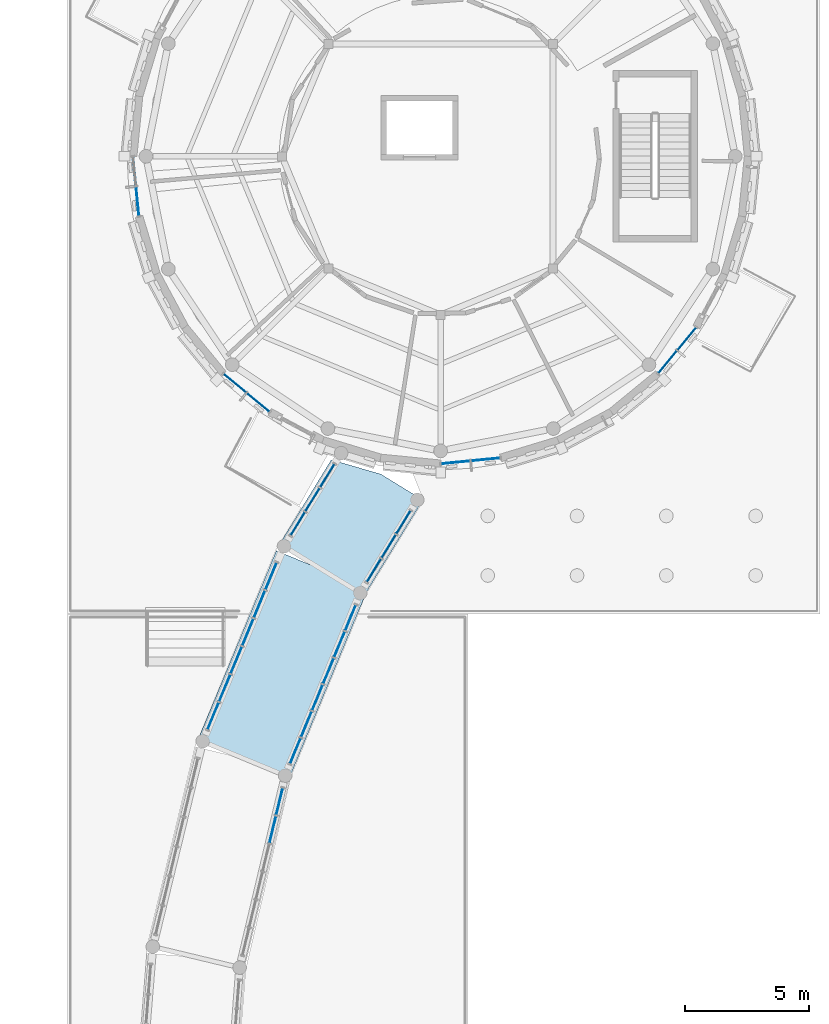
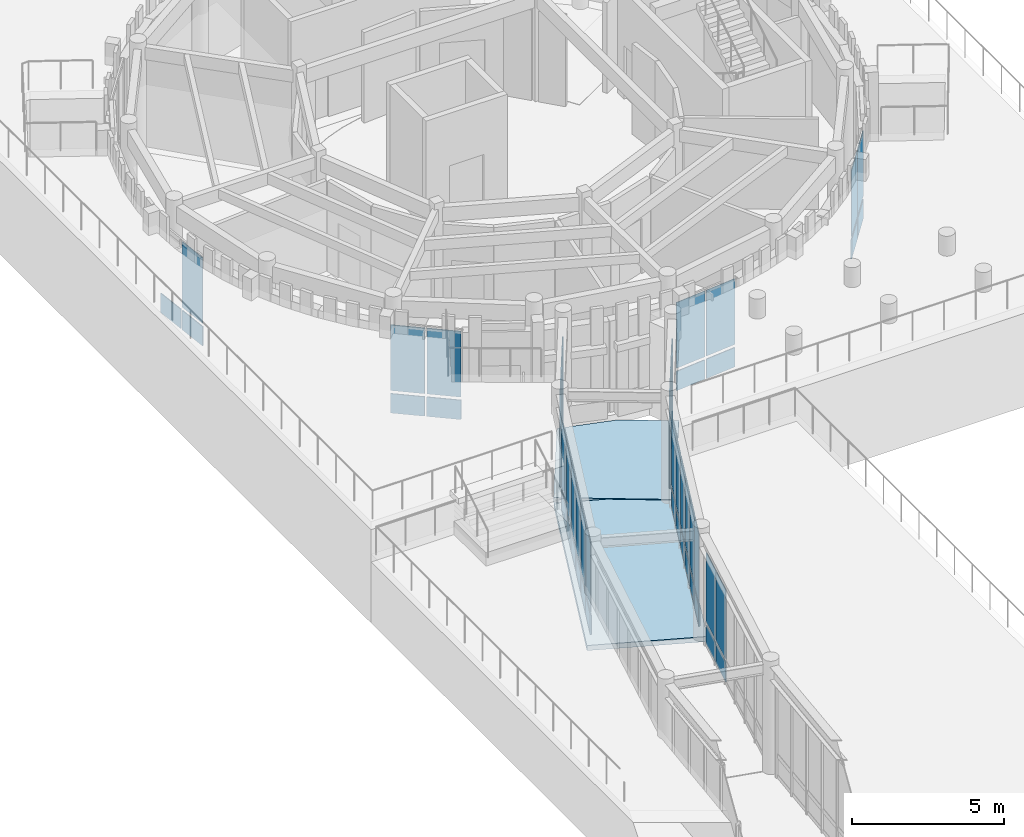
# One storey, part 43 of 94: 55 plates, 2 slabs, 9 elements without a shape of their own.
"""IFC4 building model written with IfcOpenShell, lengths in metres."""

from ifc_helpers import new_model, si_unit, direction, frame, origin, origin_2d, place, context, subcontext, project, spatial, polyline, rectangle, outline, extrude, material, layer, layer_set, type_object, element, aggregate, save


model = new_model("IFC4")

# Units and contexts
model_context = context("Model", 3, precision=1e-05, world=origin(), true_north=direction((0.0, 1.0)))
body_context = subcontext(model_context, "Body", "Model", "MODEL_VIEW")
ifc_project = project(units=[si_unit("LENGTHUNIT", "METRE"), si_unit("AREAUNIT", "SQUARE_METRE"), si_unit("VOLUMEUNIT", "CUBIC_METRE"), si_unit("PLANEANGLEUNIT", "RADIAN"), si_unit("MASSUNIT", "GRAM", prefix="KILO")], contexts=[model_context])

# Site, building, storey
site_placement = place(None, origin())
site = spatial("IfcSite", under=ifc_project, at=site_placement, CompositionType="ELEMENT")
building_placement = place(site_placement, origin())
building = spatial("IfcBuilding", under=site, at=building_placement, Name="Aldenvaro Health Centre", CompositionType="ELEMENT")
storey_placement = place(building_placement, origin())
storey = spatial("IfcBuildingStorey", under=building, at=storey_placement, Name="L00", CompositionType="ELEMENT", Elevation=0.0)

# Curtain wall, plates
ifc_material_1 = material(Name="Anodised Aluminium 6063-T6", Category="aluminium")
ifc_layer_1 = layer(ifc_material_1, 0.195068359375, Name="Anodised Aluminium 6063-T6", Category="aluminium")
ifc_layer_set_1 = layer_set([ifc_layer_1], Name="Anodised Aluminium 6063-T6")
curtain_wall_type_1 = type_object("IfcCurtainWallType", Name="CW-CLN-02", PredefinedType="NOTDEFINED", material=ifc_layer_set_1)
curtain_wall_1_placement = place(storey_placement, origin())
curtain_wall_1 = element("IfcCurtainWall", 1, at=curtain_wall_1_placement, inside=storey, type_object=curtain_wall_type_1, Name="D2 L00 curtain wall bay 04", PredefinedType="NOTDEFINED")
ifc_material_2 = material(Name="Low-E Double Glazing IGU", Category="glass")
ifc_layer_2 = layer(ifc_material_2, 0.028076171875, Name="Low-E Double Glazing IGU", Category="glass")
ifc_layer_set_2 = layer_set([ifc_layer_2], Name="Low-E Double Glazing IGU")
plate_type_1 = type_object("IfcPlateType", Name="CWP-IGU-28", PredefinedType="CURTAIN_PANEL", material=ifc_layer_set_2)
plate_1_placement = place(storey_placement, frame((164.424072265625, 92.14111328125, 0.96044921875), z_axis=(0.0, 0.0, 1.0), x_axis=(-0.634379653268, -0.773021639749, 0.0)))
plate_1 = element("IfcPlate", 2, at=plate_1_placement, type_object=plate_type_1, Name="D2 L00 curtain wall bay 04 vision glazing 1", PredefinedType="CURTAIN_PANEL", context=body_context, shape_type="SweptSolid", body=[
    extrude(rectangle(XDim=1.14501953125, YDim=0.028076171875, at=origin_2d()), origin(), (0.0, 0.0, 1.0), 2.638916015625),
])
plate_2_placement = place(storey_placement, frame((163.654052734375, 91.201904296875, 0.96044921875), z_axis=(0.0, 0.0, 1.0), x_axis=(-0.634379653268, -0.773021639749, 0.0)))
plate_2 = element("IfcPlate", 3, at=plate_2_placement, type_object=plate_type_1, Name="D2 L00 curtain wall bay 04 vision glazing 2", PredefinedType="CURTAIN_PANEL", context=body_context, shape_type="SweptSolid", body=[
    extrude(rectangle(XDim=1.14501953125, YDim=0.028076171875, at=origin_2d()), origin(), (0.0, 0.0, 1.0), 2.638916015625),
])

curtain_wall_2_placement = place(storey_placement, origin())
curtain_wall_2 = element("IfcCurtainWall", 4, at=curtain_wall_2_placement, inside=storey, type_object=curtain_wall_type_1, Name="D2 L00 curtain wall bay 08", PredefinedType="NOTDEFINED")
plate_3_placement = place(storey_placement, frame((156.31396484375, 87.278076171875, 0.96044921875), z_axis=(0.0, 0.0, 1.0), x_axis=(-0.995194782414, -0.097914988926, 0.0)))
plate_3 = element("IfcPlate", 5, at=plate_3_placement, type_object=plate_type_1, Name="D2 L00 curtain wall bay 08 vision glazing 1", PredefinedType="CURTAIN_PANEL", context=body_context, shape_type="SweptSolid", body=[
    extrude(rectangle(XDim=1.14501953125, YDim=0.028076171875, at=origin_2d()), origin(), (0.0, 0.0, 1.0), 2.638916015625),
])
plate_4_placement = place(storey_placement, frame((155.10498046875, 87.158935546875, 0.96044921875), z_axis=(0.0, 0.0, 1.0), x_axis=(-0.995194782414, -0.097914988926, 0.0)))
plate_4 = element("IfcPlate", 6, at=plate_4_placement, type_object=plate_type_1, Name="D2 L00 curtain wall bay 08 vision glazing 2", PredefinedType="CURTAIN_PANEL", context=body_context, shape_type="SweptSolid", body=[
    extrude(rectangle(XDim=1.14501953125, YDim=0.028076171875, at=origin_2d()), origin(), (0.0, 0.0, 1.0), 2.638916015625),
])

curtain_wall_3_placement = place(storey_placement, origin())
curtain_wall_3 = element("IfcCurtainWall", 7, at=curtain_wall_3_placement, inside=storey, type_object=curtain_wall_type_1, Name="D2 L00 curtain wall bay 12", PredefinedType="NOTDEFINED")
plate_5_placement = place(storey_placement, frame((147.14111328125, 89.575927734375, 0.96044921875), z_axis=(0.0, 0.0, 1.0), x_axis=(-0.773021639749, 0.634379653268, 0.0)))
plate_5 = element("IfcPlate", 8, at=plate_5_placement, type_object=plate_type_1, Name="D2 L00 curtain wall bay 12 vision glazing 1", PredefinedType="CURTAIN_PANEL", context=body_context, shape_type="SweptSolid", body=[
    extrude(rectangle(XDim=1.14501953125, YDim=0.028076171875, at=origin_2d()), origin(), (0.0, 0.0, 1.0), 2.638916015625),
])
plate_6_placement = place(storey_placement, frame((146.201904296875, 90.345947265625, 0.96044921875), z_axis=(0.0, 0.0, 1.0), x_axis=(-0.773021639749, 0.634379653268, 0.0)))
plate_6 = element("IfcPlate", 9, at=plate_6_placement, type_object=plate_type_1, Name="D2 L00 curtain wall bay 12 vision glazing 2", PredefinedType="CURTAIN_PANEL", context=body_context, shape_type="SweptSolid", body=[
    extrude(rectangle(XDim=1.14501953125, YDim=0.028076171875, at=origin_2d()), origin(), (0.0, 0.0, 1.0), 2.638916015625),
])

# Curtain wall, plate
curtain_wall_4_placement = place(storey_placement, origin())
curtain_wall_4 = element("IfcCurtainWall", 10, at=curtain_wall_4_placement, inside=storey, type_object=curtain_wall_type_1, Name="D2 L00 curtain wall bay 16", PredefinedType="NOTDEFINED")
plate_7_placement = place(storey_placement, frame((142.279052734375, 97.68603515625, 0.96044921875), z_axis=(0.0, 0.0, 1.0), x_axis=(-0.097914988926, 0.995194782414, 0.0)))
plate_7 = element("IfcPlate", 11, at=plate_7_placement, type_object=plate_type_1, Name="D2 L00 curtain wall bay 16 vision glazing 1", PredefinedType="CURTAIN_PANEL", context=body_context, shape_type="SweptSolid", body=[
    extrude(rectangle(XDim=1.14501953125, YDim=0.028076171875, at=origin_2d()), origin(), (0.0, 0.0, 1.0), 2.638916015625),
])

# Curtain wall, plates
ifc_layer_3 = layer(ifc_material_1, 0.2099609375, Name="Anodised Aluminium 6063-T6", Category="aluminium")
ifc_layer_set_3 = layer_set([ifc_layer_3], Name="Anodised Aluminium 6063-T6")
curtain_wall_type_2 = type_object("IfcCurtainWallType", Name="CW-BRG-03", PredefinedType="NOTDEFINED", material=ifc_layer_set_3)
curtain_wall_5_placement = place(storey_placement, origin())
curtain_wall_5 = element("IfcCurtainWall", 12, at=curtain_wall_5_placement, inside=storey, type_object=curtain_wall_type_2, Name="East Curved Garden Colonnade Arc 1 L00 glazed link wall L-1.1", PredefinedType="NOTDEFINED")
plate_8_placement = place(storey_placement, frame((153.001953125, 84.742919921875, 0.96044921875), z_axis=(0.0, 0.0, 1.0), x_axis=(-0.52261011534, -0.852571796005, 0.0)))
plate_8 = element("IfcPlate", 13, at=plate_8_placement, type_object=plate_type_1, Name="East Curved Garden Colonnade Arc 1 L00 glazed link wall L-1.1 vision glazing 1", PredefinedType="CURTAIN_PANEL", context=body_context, shape_type="SweptSolid", body=[
    extrude(rectangle(XDim=1.069091796875, YDim=0.028076171875, at=origin_2d()), origin(), (0.0, 0.0, 1.0), 2.784912109375),
])
plate_9_placement = place(storey_placement, frame((152.406982421875, 83.77197265625, 0.96044921875), z_axis=(0.0, 0.0, 1.0), x_axis=(-0.52261011534, -0.852571796005, 0.0)))
plate_9 = element("IfcPlate", 14, at=plate_9_placement, type_object=plate_type_1, Name="East Curved Garden Colonnade Arc 1 L00 glazed link wall L-1.1 vision glazing 2", PredefinedType="CURTAIN_PANEL", context=body_context, shape_type="SweptSolid", body=[
    extrude(rectangle(XDim=1.069091796875, YDim=0.028076171875, at=origin_2d()), origin(), (0.0, 0.0, 1.0), 2.784912109375),
])
plate_10_placement = place(storey_placement, frame((151.81201171875, 82.801025390625, 0.96044921875), z_axis=(0.0, 0.0, 1.0), x_axis=(-0.52261011534, -0.852571796005, 0.0)))
plate_10 = element("IfcPlate", 15, at=plate_10_placement, type_object=plate_type_1, Name="East Curved Garden Colonnade Arc 1 L00 glazed link wall L-1.1 vision glazing 3", PredefinedType="CURTAIN_PANEL", context=body_context, shape_type="SweptSolid", body=[
    extrude(rectangle(XDim=1.069091796875, YDim=0.028076171875, at=origin_2d()), origin(), (0.0, 0.0, 1.0), 2.784912109375),
])

curtain_wall_6_placement = place(storey_placement, origin())
curtain_wall_6 = element("IfcCurtainWall", 16, at=curtain_wall_6_placement, inside=storey, type_object=curtain_wall_type_2, Name="East Curved Garden Colonnade Arc 1 L00 glazed link wall R-1.1", PredefinedType="NOTDEFINED")
plate_11_placement = place(storey_placement, frame((149.93310546875, 86.623046875, 0.96044921875), z_axis=(0.0, 0.0, 1.0), x_axis=(-0.522527716361, -0.852622299518, 0.0)))
plate_11 = element("IfcPlate", 17, at=plate_11_placement, type_object=plate_type_1, Name="East Curved Garden Colonnade Arc 1 L00 glazed link wall R-1.1 vision glazing 1", PredefinedType="CURTAIN_PANEL", context=body_context, shape_type="SweptSolid", body=[
    extrude(rectangle(XDim=1.068115234375, YDim=0.028076171875, at=origin_2d()), origin(), (0.0, 0.0, 1.0), 2.784912109375),
])
plate_12_placement = place(storey_placement, frame((149.337890625, 85.653076171875, 0.96044921875), z_axis=(0.0, 0.0, 1.0), x_axis=(-0.522527716361, -0.852622299518, 0.0)))
plate_12 = element("IfcPlate", 18, at=plate_12_placement, type_object=plate_type_1, Name="East Curved Garden Colonnade Arc 1 L00 glazed link wall R-1.1 vision glazing 2", PredefinedType="CURTAIN_PANEL", context=body_context, shape_type="SweptSolid", body=[
    extrude(rectangle(XDim=1.068115234375, YDim=0.028076171875, at=origin_2d()), origin(), (0.0, 0.0, 1.0), 2.784912109375),
])
plate_13_placement = place(storey_placement, frame((148.742919921875, 84.681884765625, 0.96044921875), z_axis=(0.0, 0.0, 1.0), x_axis=(-0.522527716361, -0.852622299518, 0.0)))
plate_13 = element("IfcPlate", 19, at=plate_13_placement, type_object=plate_type_1, Name="East Curved Garden Colonnade Arc 1 L00 glazed link wall R-1.1 vision glazing 3", PredefinedType="CURTAIN_PANEL", context=body_context, shape_type="SweptSolid", body=[
    extrude(rectangle(XDim=1.068115234375, YDim=0.028076171875, at=origin_2d()), origin(), (0.0, 0.0, 1.0), 2.784912109375),
])

curtain_wall_7_placement = place(storey_placement, origin())
curtain_wall_7 = element("IfcCurtainWall", 20, at=curtain_wall_7_placement, inside=storey, type_object=curtain_wall_type_2, Name="East Curved Garden Colonnade Arc 2 L00 glazed link wall L-1.1", PredefinedType="NOTDEFINED")
plate_14_placement = place(storey_placement, frame((150.865966796875, 80.89208984375, 0.96044921875), z_axis=(0.0, 0.0, 1.0), x_axis=(-0.382596838462, -0.923915396126, 0.0)))
plate_14 = element("IfcPlate", 21, at=plate_14_placement, type_object=plate_type_1, Name="East Curved Garden Colonnade Arc 2 L00 glazed link wall L-1.1 vision glazing 1", PredefinedType="CURTAIN_PANEL", context=body_context, shape_type="SweptSolid", body=[
    extrude(rectangle(XDim=1.091064453125, YDim=0.028076171875, at=origin_2d()), origin(), (0.0, 0.0, 1.0), 2.784912109375),
])
plate_15_placement = place(storey_placement, frame((150.4208984375, 79.820068359375, 0.96044921875), z_axis=(0.0, 0.0, 1.0), x_axis=(-0.382596838462, -0.923915396126, 0.0)))
plate_15 = element("IfcPlate", 22, at=plate_15_placement, type_object=plate_type_1, Name="East Curved Garden Colonnade Arc 2 L00 glazed link wall L-1.1 vision glazing 2", PredefinedType="CURTAIN_PANEL", context=body_context, shape_type="SweptSolid", body=[
    extrude(rectangle(XDim=1.091064453125, YDim=0.028076171875, at=origin_2d()), origin(), (0.0, 0.0, 1.0), 2.784912109375),
])
plate_16_placement = place(storey_placement, frame((149.97705078125, 78.74609375, 0.96044921875), z_axis=(0.0, 0.0, 1.0), x_axis=(-0.382596838462, -0.923915396126, 0.0)))
plate_16 = element("IfcPlate", 23, at=plate_16_placement, type_object=plate_type_1, Name="East Curved Garden Colonnade Arc 2 L00 glazed link wall L-1.1 vision glazing 3", PredefinedType="CURTAIN_PANEL", context=body_context, shape_type="SweptSolid", body=[
    extrude(rectangle(XDim=1.091064453125, YDim=0.028076171875, at=origin_2d()), origin(), (0.0, 0.0, 1.0), 2.784912109375),
])
plate_17_placement = place(storey_placement, frame((149.532958984375, 77.674072265625, 0.96044921875), z_axis=(0.0, 0.0, 1.0), x_axis=(-0.382596838462, -0.923915396126, 0.0)))
plate_17 = element("IfcPlate", 24, at=plate_17_placement, type_object=plate_type_1, Name="East Curved Garden Colonnade Arc 2 L00 glazed link wall L-1.1 vision glazing 4", PredefinedType="CURTAIN_PANEL", context=body_context, shape_type="SweptSolid", body=[
    extrude(rectangle(XDim=1.091064453125, YDim=0.028076171875, at=origin_2d()), origin(), (0.0, 0.0, 1.0), 2.784912109375),
])
plate_18_placement = place(storey_placement, frame((149.089111328125, 76.60009765625, 0.96044921875), z_axis=(0.0, 0.0, 1.0), x_axis=(-0.382596838462, -0.923915396126, 0.0)))
plate_18 = element("IfcPlate", 25, at=plate_18_placement, type_object=plate_type_1, Name="East Curved Garden Colonnade Arc 2 L00 glazed link wall L-1.1 vision glazing 5", PredefinedType="CURTAIN_PANEL", context=body_context, shape_type="SweptSolid", body=[
    extrude(rectangle(XDim=1.091064453125, YDim=0.028076171875, at=origin_2d()), origin(), (0.0, 0.0, 1.0), 2.784912109375),
])
plate_19_placement = place(storey_placement, frame((148.64404296875, 75.528076171875, 0.96044921875), z_axis=(0.0, 0.0, 1.0), x_axis=(-0.382596838462, -0.923915396126, 0.0)))
plate_19 = element("IfcPlate", 26, at=plate_19_placement, type_object=plate_type_1, Name="East Curved Garden Colonnade Arc 2 L00 glazed link wall L-1.1 vision glazing 6", PredefinedType="CURTAIN_PANEL", context=body_context, shape_type="SweptSolid", body=[
    extrude(rectangle(XDim=1.091064453125, YDim=0.028076171875, at=origin_2d()), origin(), (0.0, 0.0, 1.0), 2.784912109375),
])

curtain_wall_8_placement = place(storey_placement, origin())
curtain_wall_8 = element("IfcCurtainWall", 27, at=curtain_wall_8_placement, inside=storey, type_object=curtain_wall_type_2, Name="East Curved Garden Colonnade Arc 2 L00 glazed link wall R-1.1", PredefinedType="NOTDEFINED")
plate_20_placement = place(storey_placement, frame((147.6650390625, 82.572021484375, 0.96044921875), z_axis=(0.0, 0.0, 1.0), x_axis=(-0.382568850779, -0.923926985434, 0.0)))
plate_20 = element("IfcPlate", 28, at=plate_20_placement, type_object=plate_type_1, Name="East Curved Garden Colonnade Arc 2 L00 glazed link wall R-1.1 vision glazing 1", PredefinedType="CURTAIN_PANEL", context=body_context, shape_type="SweptSolid", body=[
    extrude(rectangle(XDim=1.15087890625, YDim=0.028076171875, at=origin_2d()), origin(), (0.0, 0.0, 1.0), 2.784912109375),
])
plate_21_placement = place(storey_placement, frame((147.197021484375, 81.444091796875, 0.96044921875), z_axis=(0.0, 0.0, 1.0), x_axis=(-0.382568850779, -0.923926985434, 0.0)))
plate_21 = element("IfcPlate", 29, at=plate_21_placement, type_object=plate_type_1, Name="East Curved Garden Colonnade Arc 2 L00 glazed link wall R-1.1 vision glazing 2", PredefinedType="CURTAIN_PANEL", context=body_context, shape_type="SweptSolid", body=[
    extrude(rectangle(XDim=1.15087890625, YDim=0.028076171875, at=origin_2d()), origin(), (0.0, 0.0, 1.0), 2.784912109375),
])
plate_22_placement = place(storey_placement, frame((146.73095703125, 80.31591796875, 0.96044921875), z_axis=(0.0, 0.0, 1.0), x_axis=(-0.382568850779, -0.923926985434, 0.0)))
plate_22 = element("IfcPlate", 30, at=plate_22_placement, type_object=plate_type_1, Name="East Curved Garden Colonnade Arc 2 L00 glazed link wall R-1.1 vision glazing 3", PredefinedType="CURTAIN_PANEL", context=body_context, shape_type="SweptSolid", body=[
    extrude(rectangle(XDim=1.15087890625, YDim=0.028076171875, at=origin_2d()), origin(), (0.0, 0.0, 1.0), 2.784912109375),
])
plate_23_placement = place(storey_placement, frame((146.262939453125, 79.18896484375, 0.96044921875), z_axis=(0.0, 0.0, 1.0), x_axis=(-0.382568850779, -0.923926985434, 0.0)))
plate_23 = element("IfcPlate", 31, at=plate_23_placement, type_object=plate_type_1, Name="East Curved Garden Colonnade Arc 2 L00 glazed link wall R-1.1 vision glazing 4", PredefinedType="CURTAIN_PANEL", context=body_context, shape_type="SweptSolid", body=[
    extrude(rectangle(XDim=1.15087890625, YDim=0.028076171875, at=origin_2d()), origin(), (0.0, 0.0, 1.0), 2.784912109375),
])
plate_24_placement = place(storey_placement, frame((145.797119140625, 78.06103515625, 0.96044921875), z_axis=(0.0, 0.0, 1.0), x_axis=(-0.382568850779, -0.923926985434, 0.0)))
plate_24 = element("IfcPlate", 32, at=plate_24_placement, type_object=plate_type_1, Name="East Curved Garden Colonnade Arc 2 L00 glazed link wall R-1.1 vision glazing 5", PredefinedType="CURTAIN_PANEL", context=body_context, shape_type="SweptSolid", body=[
    extrude(rectangle(XDim=1.15087890625, YDim=0.028076171875, at=origin_2d()), origin(), (0.0, 0.0, 1.0), 2.784912109375),
])
plate_25_placement = place(storey_placement, frame((145.3291015625, 76.93310546875, 0.96044921875), z_axis=(0.0, 0.0, 1.0), x_axis=(-0.382568850779, -0.923926985434, 0.0)))
plate_25 = element("IfcPlate", 33, at=plate_25_placement, type_object=plate_type_1, Name="East Curved Garden Colonnade Arc 2 L00 glazed link wall R-1.1 vision glazing 6", PredefinedType="CURTAIN_PANEL", context=body_context, shape_type="SweptSolid", body=[
    extrude(rectangle(XDim=1.15087890625, YDim=0.028076171875, at=origin_2d()), origin(), (0.0, 0.0, 1.0), 2.784912109375),
])

curtain_wall_9_placement = place(storey_placement, origin())
curtain_wall_9 = element("IfcCurtainWall", 34, at=curtain_wall_9_placement, inside=storey, type_object=curtain_wall_type_2, Name="East Curved Garden Colonnade Arc 3 L00 glazed link wall L-1.1", PredefinedType="NOTDEFINED")
plate_26_placement = place(storey_placement, frame((148.0029296875, 73.48388671875, 0.96044921875), z_axis=(0.0, 0.0, 1.0), x_axis=(-0.233541245949, -0.972346896144, 0.0)))
plate_26 = element("IfcPlate", 35, at=plate_26_placement, type_object=plate_type_1, Name="East Curved Garden Colonnade Arc 3 L00 glazed link wall L-1.1 vision glazing 1", PredefinedType="CURTAIN_PANEL", context=body_context, shape_type="SweptSolid", body=[
    extrude(rectangle(XDim=1.091064453125, YDim=0.028076171875, at=origin_2d()), origin(), (0.0, 0.0, 1.0), 2.784912109375),
])
plate_27_placement = place(storey_placement, frame((147.73193359375, 72.35498046875, 0.96044921875), z_axis=(0.0, 0.0, 1.0), x_axis=(-0.233541245949, -0.972346896144, 0.0)))
plate_27 = element("IfcPlate", 36, at=plate_27_placement, type_object=plate_type_1, Name="East Curved Garden Colonnade Arc 3 L00 glazed link wall L-1.1 vision glazing 2", PredefinedType="CURTAIN_PANEL", context=body_context, shape_type="SweptSolid", body=[
    extrude(rectangle(XDim=1.091064453125, YDim=0.028076171875, at=origin_2d()), origin(), (0.0, 0.0, 1.0), 2.784912109375),
])

# Plate
ifc_material_3 = material(Name="Insulated Aluminium Spandrel", Category="aluminium")
ifc_layer_4 = layer(ifc_material_3, 0.035888671875, Name="Insulated Aluminium Spandrel", Category="aluminium")
ifc_layer_set_4 = layer_set([ifc_layer_4], Name="Insulated Aluminium Spandrel")
plate_type_2 = type_object("IfcPlateType", Name="CWP-SPN-36", PredefinedType="CURTAIN_PANEL", material=ifc_layer_set_4)
plate_28_placement = place(storey_placement, frame((164.424072265625, 92.14111328125, 0.06005859375), z_axis=(0.0, 0.0, 1.0), x_axis=(-0.634379653268, -0.773021639749, 0.0)))
plate_28 = element("IfcPlate", 37, at=plate_28_placement, type_object=plate_type_2, Name="D2 L00 curtain wall bay 04 spandrel panel 1", PredefinedType="CURTAIN_PANEL", context=body_context, shape_type="SweptSolid", body=[
    extrude(rectangle(XDim=1.14501953125, YDim=0.035888671875, at=origin_2d()), origin(), (0.0, 0.0, 1.0), 0.780029296875),
])

plate_29_placement = place(storey_placement, frame((163.654052734375, 91.201904296875, 0.06005859375), z_axis=(0.0, 0.0, 1.0), x_axis=(-0.634379653268, -0.773021639749, 0.0)))
plate_29 = element("IfcPlate", 38, at=plate_29_placement, type_object=plate_type_2, Name="D2 L00 curtain wall bay 04 spandrel panel 2", PredefinedType="CURTAIN_PANEL", context=body_context, shape_type="SweptSolid", body=[
    extrude(rectangle(XDim=1.14501953125, YDim=0.035888671875, at=origin_2d()), origin(), (0.0, 0.0, 1.0), 0.780029296875),
])

aggregate(curtain_wall_1, [plate_28, plate_1, plate_29, plate_2])

plate_30_placement = place(storey_placement, frame((156.31396484375, 87.278076171875, 0.06005859375), z_axis=(0.0, 0.0, 1.0), x_axis=(-0.995194782414, -0.097914988926, 0.0)))
plate_30 = element("IfcPlate", 39, at=plate_30_placement, type_object=plate_type_2, Name="D2 L00 curtain wall bay 08 spandrel panel 1", PredefinedType="CURTAIN_PANEL", context=body_context, shape_type="SweptSolid", body=[
    extrude(rectangle(XDim=1.14501953125, YDim=0.035888671875, at=origin_2d()), origin(), (0.0, 0.0, 1.0), 0.780029296875),
])

plate_31_placement = place(storey_placement, frame((155.10498046875, 87.158935546875, 0.06005859375), z_axis=(0.0, 0.0, 1.0), x_axis=(-0.995194782414, -0.097914988926, 0.0)))
plate_31 = element("IfcPlate", 40, at=plate_31_placement, type_object=plate_type_2, Name="D2 L00 curtain wall bay 08 spandrel panel 2", PredefinedType="CURTAIN_PANEL", context=body_context, shape_type="SweptSolid", body=[
    extrude(rectangle(XDim=1.14501953125, YDim=0.035888671875, at=origin_2d()), origin(), (0.0, 0.0, 1.0), 0.780029296875),
])

aggregate(curtain_wall_2, [plate_30, plate_3, plate_31, plate_4])

plate_32_placement = place(storey_placement, frame((147.14111328125, 89.575927734375, 0.06005859375), z_axis=(0.0, 0.0, 1.0), x_axis=(-0.773021639749, 0.634379653268, 0.0)))
plate_32 = element("IfcPlate", 41, at=plate_32_placement, type_object=plate_type_2, Name="D2 L00 curtain wall bay 12 spandrel panel 1", PredefinedType="CURTAIN_PANEL", context=body_context, shape_type="SweptSolid", body=[
    extrude(rectangle(XDim=1.14501953125, YDim=0.035888671875, at=origin_2d()), origin(), (0.0, 0.0, 1.0), 0.780029296875),
])

plate_33_placement = place(storey_placement, frame((146.201904296875, 90.345947265625, 0.06005859375), z_axis=(0.0, 0.0, 1.0), x_axis=(-0.773021639749, 0.634379653268, 0.0)))
plate_33 = element("IfcPlate", 42, at=plate_33_placement, type_object=plate_type_2, Name="D2 L00 curtain wall bay 12 spandrel panel 2", PredefinedType="CURTAIN_PANEL", context=body_context, shape_type="SweptSolid", body=[
    extrude(rectangle(XDim=1.14501953125, YDim=0.035888671875, at=origin_2d()), origin(), (0.0, 0.0, 1.0), 0.780029296875),
])

aggregate(curtain_wall_3, [plate_32, plate_5, plate_33, plate_6])

plate_34_placement = place(storey_placement, frame((142.279052734375, 97.68603515625, 0.06005859375), z_axis=(0.0, 0.0, 1.0), x_axis=(-0.097914988926, 0.995194782414, 0.0)))
plate_34 = element("IfcPlate", 43, at=plate_34_placement, type_object=plate_type_2, Name="D2 L00 curtain wall bay 16 spandrel panel 1", PredefinedType="CURTAIN_PANEL", context=body_context, shape_type="SweptSolid", body=[
    extrude(rectangle(XDim=1.14501953125, YDim=0.035888671875, at=origin_2d()), origin(), (0.0, 0.0, 1.0), 0.780029296875),
])

plate_35_placement = place(storey_placement, frame((142.158935546875, 98.89501953125, 0.06005859375), z_axis=(0.0, 0.0, 1.0), x_axis=(-0.097914988926, 0.995194782414, 0.0)))
plate_35 = element("IfcPlate", 44, at=plate_35_placement, type_object=plate_type_2, Name="D2 L00 curtain wall bay 16 spandrel panel 2", PredefinedType="CURTAIN_PANEL", context=body_context, shape_type="SweptSolid", body=[
    extrude(rectangle(XDim=1.14501953125, YDim=0.035888671875, at=origin_2d()), origin(), (0.0, 0.0, 1.0), 0.780029296875),
])

aggregate(curtain_wall_4, [plate_34, plate_7, plate_35])

plate_36_placement = place(storey_placement, frame((153.001953125, 84.742919921875, 0.06005859375), z_axis=(0.0, 0.0, 1.0), x_axis=(-0.52261011534, -0.852571796005, 0.0)))
plate_36 = element("IfcPlate", 45, at=plate_36_placement, type_object=plate_type_2, Name="East Curved Garden Colonnade Arc 1 L00 glazed link wall L-1.1 spandrel panel 1", PredefinedType="CURTAIN_PANEL", context=body_context, shape_type="SweptSolid", body=[
    extrude(rectangle(XDim=1.069091796875, YDim=0.035888671875, at=origin_2d()), origin(), (0.0, 0.0, 1.0), 0.780029296875),
])

plate_37_placement = place(storey_placement, frame((152.406982421875, 83.77197265625, 0.06005859375), z_axis=(0.0, 0.0, 1.0), x_axis=(-0.52261011534, -0.852571796005, 0.0)))
plate_37 = element("IfcPlate", 46, at=plate_37_placement, type_object=plate_type_2, Name="East Curved Garden Colonnade Arc 1 L00 glazed link wall L-1.1 spandrel panel 2", PredefinedType="CURTAIN_PANEL", context=body_context, shape_type="SweptSolid", body=[
    extrude(rectangle(XDim=1.069091796875, YDim=0.035888671875, at=origin_2d()), origin(), (0.0, 0.0, 1.0), 0.780029296875),
])

plate_38_placement = place(storey_placement, frame((151.81201171875, 82.801025390625, 0.06005859375), z_axis=(0.0, 0.0, 1.0), x_axis=(-0.52261011534, -0.852571796005, 0.0)))
plate_38 = element("IfcPlate", 47, at=plate_38_placement, type_object=plate_type_2, Name="East Curved Garden Colonnade Arc 1 L00 glazed link wall L-1.1 spandrel panel 3", PredefinedType="CURTAIN_PANEL", context=body_context, shape_type="SweptSolid", body=[
    extrude(rectangle(XDim=1.069091796875, YDim=0.035888671875, at=origin_2d()), origin(), (0.0, 0.0, 1.0), 0.780029296875),
])

aggregate(curtain_wall_5, [plate_36, plate_8, plate_37, plate_9, plate_38, plate_10])

plate_39_placement = place(storey_placement, frame((149.93310546875, 86.623046875, 0.06005859375), z_axis=(0.0, 0.0, 1.0), x_axis=(-0.522527716361, -0.852622299518, 0.0)))
plate_39 = element("IfcPlate", 48, at=plate_39_placement, type_object=plate_type_2, Name="East Curved Garden Colonnade Arc 1 L00 glazed link wall R-1.1 spandrel panel 1", PredefinedType="CURTAIN_PANEL", context=body_context, shape_type="SweptSolid", body=[
    extrude(rectangle(XDim=1.068115234375, YDim=0.035888671875, at=origin_2d()), origin(), (0.0, 0.0, 1.0), 0.780029296875),
])

plate_40_placement = place(storey_placement, frame((149.337890625, 85.653076171875, 0.06005859375), z_axis=(0.0, 0.0, 1.0), x_axis=(-0.522527716361, -0.852622299518, 0.0)))
plate_40 = element("IfcPlate", 49, at=plate_40_placement, type_object=plate_type_2, Name="East Curved Garden Colonnade Arc 1 L00 glazed link wall R-1.1 spandrel panel 2", PredefinedType="CURTAIN_PANEL", context=body_context, shape_type="SweptSolid", body=[
    extrude(rectangle(XDim=1.068115234375, YDim=0.035888671875, at=origin_2d()), origin(), (0.0, 0.0, 1.0), 0.780029296875),
])

plate_41_placement = place(storey_placement, frame((148.742919921875, 84.681884765625, 0.06005859375), z_axis=(0.0, 0.0, 1.0), x_axis=(-0.522527716361, -0.852622299518, 0.0)))
plate_41 = element("IfcPlate", 50, at=plate_41_placement, type_object=plate_type_2, Name="East Curved Garden Colonnade Arc 1 L00 glazed link wall R-1.1 spandrel panel 3", PredefinedType="CURTAIN_PANEL", context=body_context, shape_type="SweptSolid", body=[
    extrude(rectangle(XDim=1.068115234375, YDim=0.035888671875, at=origin_2d()), origin(), (0.0, 0.0, 1.0), 0.780029296875),
])

aggregate(curtain_wall_6, [plate_39, plate_11, plate_40, plate_12, plate_41, plate_13])

plate_42_placement = place(storey_placement, frame((150.865966796875, 80.89208984375, 0.06005859375), z_axis=(0.0, 0.0, 1.0), x_axis=(-0.382596838462, -0.923915396126, 0.0)))
plate_42 = element("IfcPlate", 51, at=plate_42_placement, type_object=plate_type_2, Name="East Curved Garden Colonnade Arc 2 L00 glazed link wall L-1.1 spandrel panel 1", PredefinedType="CURTAIN_PANEL", context=body_context, shape_type="SweptSolid", body=[
    extrude(rectangle(XDim=1.091064453125, YDim=0.035888671875, at=origin_2d()), origin(), (0.0, 0.0, 1.0), 0.780029296875),
])

plate_43_placement = place(storey_placement, frame((150.4208984375, 79.820068359375, 0.06005859375), z_axis=(0.0, 0.0, 1.0), x_axis=(-0.382596838462, -0.923915396126, 0.0)))
plate_43 = element("IfcPlate", 52, at=plate_43_placement, type_object=plate_type_2, Name="East Curved Garden Colonnade Arc 2 L00 glazed link wall L-1.1 spandrel panel 2", PredefinedType="CURTAIN_PANEL", context=body_context, shape_type="SweptSolid", body=[
    extrude(rectangle(XDim=1.091064453125, YDim=0.035888671875, at=origin_2d()), origin(), (0.0, 0.0, 1.0), 0.780029296875),
])

plate_44_placement = place(storey_placement, frame((149.97705078125, 78.74609375, 0.06005859375), z_axis=(0.0, 0.0, 1.0), x_axis=(-0.382596838462, -0.923915396126, 0.0)))
plate_44 = element("IfcPlate", 53, at=plate_44_placement, type_object=plate_type_2, Name="East Curved Garden Colonnade Arc 2 L00 glazed link wall L-1.1 spandrel panel 3", PredefinedType="CURTAIN_PANEL", context=body_context, shape_type="SweptSolid", body=[
    extrude(rectangle(XDim=1.091064453125, YDim=0.035888671875, at=origin_2d()), origin(), (0.0, 0.0, 1.0), 0.780029296875),
])

plate_45_placement = place(storey_placement, frame((149.532958984375, 77.674072265625, 0.06005859375), z_axis=(0.0, 0.0, 1.0), x_axis=(-0.382596838462, -0.923915396126, 0.0)))
plate_45 = element("IfcPlate", 54, at=plate_45_placement, type_object=plate_type_2, Name="East Curved Garden Colonnade Arc 2 L00 glazed link wall L-1.1 spandrel panel 4", PredefinedType="CURTAIN_PANEL", context=body_context, shape_type="SweptSolid", body=[
    extrude(rectangle(XDim=1.091064453125, YDim=0.035888671875, at=origin_2d()), origin(), (0.0, 0.0, 1.0), 0.780029296875),
])

plate_46_placement = place(storey_placement, frame((149.089111328125, 76.60009765625, 0.06005859375), z_axis=(0.0, 0.0, 1.0), x_axis=(-0.382596838462, -0.923915396126, 0.0)))
plate_46 = element("IfcPlate", 55, at=plate_46_placement, type_object=plate_type_2, Name="East Curved Garden Colonnade Arc 2 L00 glazed link wall L-1.1 spandrel panel 5", PredefinedType="CURTAIN_PANEL", context=body_context, shape_type="SweptSolid", body=[
    extrude(rectangle(XDim=1.091064453125, YDim=0.035888671875, at=origin_2d()), origin(), (0.0, 0.0, 1.0), 0.780029296875),
])

plate_47_placement = place(storey_placement, frame((148.64404296875, 75.528076171875, 0.06005859375), z_axis=(0.0, 0.0, 1.0), x_axis=(-0.382596838462, -0.923915396126, 0.0)))
plate_47 = element("IfcPlate", 56, at=plate_47_placement, type_object=plate_type_2, Name="East Curved Garden Colonnade Arc 2 L00 glazed link wall L-1.1 spandrel panel 6", PredefinedType="CURTAIN_PANEL", context=body_context, shape_type="SweptSolid", body=[
    extrude(rectangle(XDim=1.091064453125, YDim=0.035888671875, at=origin_2d()), origin(), (0.0, 0.0, 1.0), 0.780029296875),
])

aggregate(curtain_wall_7, [plate_42, plate_14, plate_43, plate_15, plate_44, plate_16, plate_45, plate_17, plate_46, plate_18, plate_47, plate_19])

plate_48_placement = place(storey_placement, frame((147.6650390625, 82.572021484375, 0.06005859375), z_axis=(0.0, 0.0, 1.0), x_axis=(-0.382568850779, -0.923926985434, 0.0)))
plate_48 = element("IfcPlate", 57, at=plate_48_placement, type_object=plate_type_2, Name="East Curved Garden Colonnade Arc 2 L00 glazed link wall R-1.1 spandrel panel 1", PredefinedType="CURTAIN_PANEL", context=body_context, shape_type="SweptSolid", body=[
    extrude(rectangle(XDim=1.15087890625, YDim=0.035888671875, at=origin_2d()), origin(), (0.0, 0.0, 1.0), 0.780029296875),
])

plate_49_placement = place(storey_placement, frame((147.197021484375, 81.444091796875, 0.06005859375), z_axis=(0.0, 0.0, 1.0), x_axis=(-0.382568850779, -0.923926985434, 0.0)))
plate_49 = element("IfcPlate", 58, at=plate_49_placement, type_object=plate_type_2, Name="East Curved Garden Colonnade Arc 2 L00 glazed link wall R-1.1 spandrel panel 2", PredefinedType="CURTAIN_PANEL", context=body_context, shape_type="SweptSolid", body=[
    extrude(rectangle(XDim=1.15087890625, YDim=0.035888671875, at=origin_2d()), origin(), (0.0, 0.0, 1.0), 0.780029296875),
])

plate_50_placement = place(storey_placement, frame((146.73095703125, 80.31591796875, 0.06005859375), z_axis=(0.0, 0.0, 1.0), x_axis=(-0.382568850779, -0.923926985434, 0.0)))
plate_50 = element("IfcPlate", 59, at=plate_50_placement, type_object=plate_type_2, Name="East Curved Garden Colonnade Arc 2 L00 glazed link wall R-1.1 spandrel panel 3", PredefinedType="CURTAIN_PANEL", context=body_context, shape_type="SweptSolid", body=[
    extrude(rectangle(XDim=1.15087890625, YDim=0.035888671875, at=origin_2d()), origin(), (0.0, 0.0, 1.0), 0.780029296875),
])

plate_51_placement = place(storey_placement, frame((146.262939453125, 79.18896484375, 0.06005859375), z_axis=(0.0, 0.0, 1.0), x_axis=(-0.382568850779, -0.923926985434, 0.0)))
plate_51 = element("IfcPlate", 60, at=plate_51_placement, type_object=plate_type_2, Name="East Curved Garden Colonnade Arc 2 L00 glazed link wall R-1.1 spandrel panel 4", PredefinedType="CURTAIN_PANEL", context=body_context, shape_type="SweptSolid", body=[
    extrude(rectangle(XDim=1.15087890625, YDim=0.035888671875, at=origin_2d()), origin(), (0.0, 0.0, 1.0), 0.780029296875),
])

plate_52_placement = place(storey_placement, frame((145.797119140625, 78.06103515625, 0.06005859375), z_axis=(0.0, 0.0, 1.0), x_axis=(-0.382568850779, -0.923926985434, 0.0)))
plate_52 = element("IfcPlate", 61, at=plate_52_placement, type_object=plate_type_2, Name="East Curved Garden Colonnade Arc 2 L00 glazed link wall R-1.1 spandrel panel 5", PredefinedType="CURTAIN_PANEL", context=body_context, shape_type="SweptSolid", body=[
    extrude(rectangle(XDim=1.15087890625, YDim=0.035888671875, at=origin_2d()), origin(), (0.0, 0.0, 1.0), 0.780029296875),
])

plate_53_placement = place(storey_placement, frame((145.3291015625, 76.93310546875, 0.06005859375), z_axis=(0.0, 0.0, 1.0), x_axis=(-0.382568850779, -0.923926985434, 0.0)))
plate_53 = element("IfcPlate", 62, at=plate_53_placement, type_object=plate_type_2, Name="East Curved Garden Colonnade Arc 2 L00 glazed link wall R-1.1 spandrel panel 6", PredefinedType="CURTAIN_PANEL", context=body_context, shape_type="SweptSolid", body=[
    extrude(rectangle(XDim=1.15087890625, YDim=0.035888671875, at=origin_2d()), origin(), (0.0, 0.0, 1.0), 0.780029296875),
])

aggregate(curtain_wall_8, [plate_48, plate_20, plate_49, plate_21, plate_50, plate_22, plate_51, plate_23, plate_52, plate_24, plate_53, plate_25])

plate_54_placement = place(storey_placement, frame((148.0029296875, 73.48388671875, 0.06005859375), z_axis=(0.0, 0.0, 1.0), x_axis=(-0.233541245949, -0.972346896144, 0.0)))
plate_54 = element("IfcPlate", 63, at=plate_54_placement, type_object=plate_type_2, Name="East Curved Garden Colonnade Arc 3 L00 glazed link wall L-1.1 spandrel panel 1", PredefinedType="CURTAIN_PANEL", context=body_context, shape_type="SweptSolid", body=[
    extrude(rectangle(XDim=1.091064453125, YDim=0.035888671875, at=origin_2d()), origin(), (0.0, 0.0, 1.0), 0.780029296875),
])

plate_55_placement = place(storey_placement, frame((147.73193359375, 72.35498046875, 0.06005859375), z_axis=(0.0, 0.0, 1.0), x_axis=(-0.233541245949, -0.972346896144, 0.0)))
plate_55 = element("IfcPlate", 64, at=plate_55_placement, type_object=plate_type_2, Name="East Curved Garden Colonnade Arc 3 L00 glazed link wall L-1.1 spandrel panel 2", PredefinedType="CURTAIN_PANEL", context=body_context, shape_type="SweptSolid", body=[
    extrude(rectangle(XDim=1.091064453125, YDim=0.035888671875, at=origin_2d()), origin(), (0.0, 0.0, 1.0), 0.780029296875),
])

aggregate(curtain_wall_9, [plate_54, plate_26, plate_55, plate_27])

# Slabs
ifc_material_4 = material(Name="Cross-laminated timber CLT E1", Category="wood")
ifc_layer_5 = layer(ifc_material_4, 0.205078125, Name="Cross-laminated timber CLT E1", Category="wood")
ifc_layer_set_5 = layer_set([ifc_layer_5], Name="Cross-laminated timber CLT E1")
slab_type = type_object("IfcSlabType", Name="SLB-CLT-205", PredefinedType="FLOOR", material=ifc_layer_set_5)
slab_1_placement = place(storey_placement, frame((0.0, 0.0, -0.205078125)))
element("IfcSlab", 65, at=slab_1_placement, inside=storey, type_object=slab_type, Name="East Curved Garden Colonnade Arc 1 L00 deck slab", PredefinedType="FLOOR", context=body_context, shape_type="SweptSolid", body=[
    extrude(outline(polyline([(153.7890625, 85.64306640625), (151.427001953125, 81.7900390625), (148.01708984375, 83.8798828125), (150.092041015625, 87.264892578125), (152.083984375, 86.68798828125), (153.7890625, 85.64306640625)])), origin(), (0.0, 0.0, 1.0), 0.205078125),
])
slab_2_placement = place(storey_placement, frame((0.0, 0.0, -0.205078125)))
element("IfcSlab", 66, at=slab_2_placement, inside=storey, type_object=slab_type, Name="East Curved Garden Colonnade Arc 2 L00 deck slab", PredefinedType="FLOOR", context=body_context, shape_type="SweptSolid", body=[
    extrude(outline(polyline([(148.41796875, 74.4580078125), (144.721923828125, 75.988037109375), (147.8740234375, 83.60009765625), (149.486083984375, 82.93310546875), (151.43310546875, 81.739013671875), (148.41796875, 74.4580078125)])), origin(), (0.0, 0.0, 1.0), 0.205078125),
])

save(model, "model.ifc")
